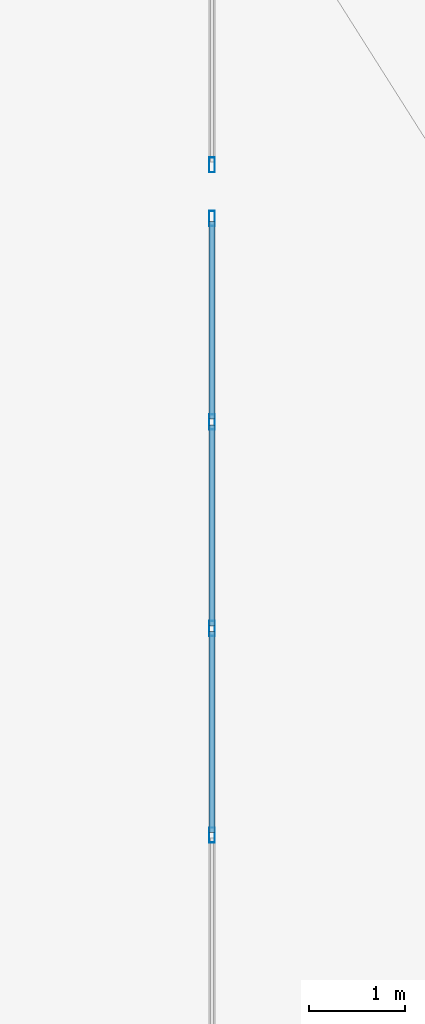
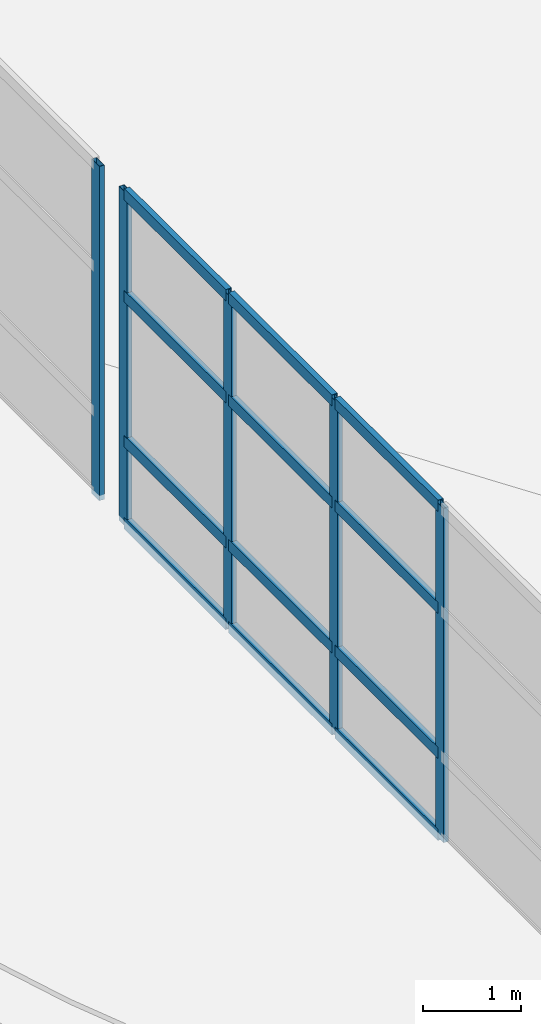
# One storey, part 5 of 14: 17 members, 2 elements without a shape of their own.
"""IFC4 building model written with IfcOpenShell, lengths in metres."""

from ifc_helpers import new_model, si_unit, direction, frame, origin, origin_2d, place, context, subcontext, project, spatial, hollow_rectangle, extrude, material, layer, layer_set, material_profile, profile_set, type_object, element, aggregate, save


model = new_model("IFC4")

# Units and contexts
model_context = context("Model", 3, precision=1e-05, world=origin(), true_north=direction((0.0, 1.0)))
body_context = subcontext(model_context, "Body", "Model", "MODEL_VIEW")
ifc_project = project(units=[si_unit("LENGTHUNIT", "METRE"), si_unit("AREAUNIT", "SQUARE_METRE"), si_unit("VOLUMEUNIT", "CUBIC_METRE"), si_unit("PLANEANGLEUNIT", "RADIAN"), si_unit("MASSUNIT", "GRAM", prefix="KILO")], contexts=[model_context])

# Site, building, storey
site_placement = place(None, origin())
site = spatial("IfcSite", under=ifc_project, at=site_placement, CompositionType="ELEMENT")
building_placement = place(site_placement, origin())
building = spatial("IfcBuilding", under=site, at=building_placement, Name="Selat Folded Stagehouse", CompositionType="ELEMENT")
storey_placement = place(building_placement, frame((0.0, 0.0, 27.60009765625)))
storey = spatial("IfcBuildingStorey", under=building, at=storey_placement, Name="L06", CompositionType="ELEMENT", Elevation=27.60009765625)

# Curtain wall, members
ifc_material = material(Name="Aluminium 6063-T6", Category="aluminium")
ifc_layer = layer(ifc_material, 0.175048828125)
ifc_layer_set = layer_set([ifc_layer], Name="Aluminium 6063-T6")
curtain_wall_type = type_object("IfcCurtainWallType", Name="CW-BRG-GLAZ", PredefinedType="NOTDEFINED", material=ifc_layer_set)
curtain_wall_1_placement = place(storey_placement, origin())
curtain_wall_1 = element("IfcCurtainWall", 1, at=curtain_wall_1_placement, inside=storey, type_object=curtain_wall_type, Name="L06 curtain wall CW-BRG-26", PredefinedType="NOTDEFINED")
ifc_material_profile_1 = material_profile(ifc_material, hollow_rectangle(XDim=0.06005859375, YDim=0.159912109375, WallThickness=0.00390625, at=origin_2d()), Name="ALU 160x60x4.0")
ifc_profile_set_1 = profile_set([ifc_material_profile_1], Name="Aluminium 6063-T6")
member_type_1 = type_object("IfcMemberType", Name="CWM-MUL-160x60", PredefinedType="MULLION", material=ifc_profile_set_1)
member_1_placement = place(storey_placement, frame((8.39990234375, 32.278564453125, 0.0), z_axis=(0.0, 0.0, 1.0), x_axis=(-1.0, 0.0, 0.0)))
member_1 = element("IfcMember", 2, at=member_1_placement, type_object=member_type_1, Name="CW-07 mullion 5", PredefinedType="MULLION", context=body_context, shape_type="SweptSolid", body=[
    extrude(hollow_rectangle(XDim=0.06005859375, YDim=0.159912109375, WallThickness=0.00390625, at=origin_2d()), origin(), (0.0, 0.0, 1.0), 4.14990234375),
])
member_2_placement = place(storey_placement, frame((8.39990234375, 34.435791015625, 0.0), z_axis=(0.0, 0.0, 1.0), x_axis=(-1.0, 0.0, 0.0)))
member_2 = element("IfcMember", 3, at=member_2_placement, type_object=member_type_1, Name="CW-07 mullion 6", PredefinedType="MULLION", context=body_context, shape_type="SweptSolid", body=[
    extrude(hollow_rectangle(XDim=0.06005859375, YDim=0.159912109375, WallThickness=0.00390625, at=origin_2d()), origin(), (0.0, 0.0, 1.0), 4.14990234375),
])
member_3_placement = place(storey_placement, frame((8.39990234375, 36.5927734375, 0.0), z_axis=(0.0, 0.0, 1.0), x_axis=(-1.0, 0.0, 0.0)))
member_3 = element("IfcMember", 4, at=member_3_placement, type_object=member_type_1, Name="CW-07 mullion 7", PredefinedType="MULLION", context=body_context, shape_type="SweptSolid", body=[
    extrude(hollow_rectangle(XDim=0.06005859375, YDim=0.159912109375, WallThickness=0.00390625, at=origin_2d()), origin(), (0.0, 0.0, 1.0), 4.14990234375),
])
member_4_placement = place(storey_placement, frame((8.39990234375, 38.719970703125, 0.0), z_axis=(0.0, 0.0, 1.0), x_axis=(-1.0, 0.0, 0.0)))
member_4 = element("IfcMember", 5, at=member_4_placement, type_object=member_type_1, Name="CW-07 mullion 8", PredefinedType="MULLION", context=body_context, shape_type="SweptSolid", body=[
    extrude(hollow_rectangle(XDim=0.06005859375, YDim=0.159912109375, WallThickness=0.00390625, at=origin_2d()), origin(), (0.0, 0.0, 1.0), 4.14990234375),
])

# Curtain wall, member
curtain_wall_2_placement = place(storey_placement, origin())
curtain_wall_2 = element("IfcCurtainWall", 6, at=curtain_wall_2_placement, inside=storey, type_object=curtain_wall_type, Name="L06 curtain wall CW-BRG-27", PredefinedType="NOTDEFINED")
member_5_placement = place(storey_placement, frame((8.39990234375, 39.280029296875, 0.0), z_axis=(0.0, 0.0, 1.0), x_axis=(-1.0, 0.0, 0.0)))
member_5 = element("IfcMember", 7, at=member_5_placement, type_object=member_type_1, Name="CW-07 mullion 1", PredefinedType="MULLION", context=body_context, shape_type="SweptSolid", body=[
    extrude(hollow_rectangle(XDim=0.06005859375, YDim=0.159912109375, WallThickness=0.00390625, at=origin_2d()), origin(), (0.0, 0.0, 1.0), 4.14990234375),
])
aggregate(curtain_wall_2, [member_5])

# Member
ifc_material_profile_2 = material_profile(ifc_material, hollow_rectangle(XDim=0.06494140625, YDim=0.139892578125, WallThickness=0.00390625, at=origin_2d()), Name="ALU 140x65x4.0")
ifc_profile_set_2 = profile_set([ifc_material_profile_2], Name="Aluminium 6063-T6")
member_type_2 = type_object("IfcMemberType", Name="CWM-TRN-140x65", PredefinedType="USERDEFINED", material=ifc_profile_set_2)
member_6_placement = place(storey_placement, frame((8.39990234375, 32.30859375, 0.032470703125), z_axis=(0.0, 1.0, 0.0), x_axis=(-1.0, 0.0, 0.0)))
member_6 = element("IfcMember", 8, at=member_6_placement, type_object=member_type_2, Name="CW-07 transom 5.1", ObjectType="TRANSOM", PredefinedType="USERDEFINED", context=body_context, shape_type="SweptSolid", body=[
    extrude(hollow_rectangle(XDim=0.06494140625, YDim=0.139892578125, WallThickness=0.00390625, at=origin_2d()), origin(), (0.0, 0.0, 1.0), 2.09716796875),
])

member_7_placement = place(storey_placement, frame((8.39990234375, 32.30859375, 1.0498046875), z_axis=(0.0, 1.0, 0.0), x_axis=(-1.0, 0.0, 0.0)))
member_7 = element("IfcMember", 9, at=member_7_placement, type_object=member_type_2, Name="CW-07 transom 5.2", ObjectType="TRANSOM", PredefinedType="USERDEFINED", context=body_context, shape_type="SweptSolid", body=[
    extrude(hollow_rectangle(XDim=0.06494140625, YDim=0.139892578125, WallThickness=0.00390625, at=origin_2d()), origin(), (0.0, 0.0, 1.0), 2.09716796875),
])

member_8_placement = place(storey_placement, frame((8.39990234375, 32.30859375, 2.849853515625), z_axis=(0.0, 1.0, 0.0), x_axis=(-1.0, 0.0, 0.0)))
member_8 = element("IfcMember", 10, at=member_8_placement, type_object=member_type_2, Name="CW-07 transom 5.3", ObjectType="TRANSOM", PredefinedType="USERDEFINED", context=body_context, shape_type="SweptSolid", body=[
    extrude(hollow_rectangle(XDim=0.06494140625, YDim=0.139892578125, WallThickness=0.00390625, at=origin_2d()), origin(), (0.0, 0.0, 1.0), 2.09716796875),
])

member_9_placement = place(storey_placement, frame((8.39990234375, 32.30859375, 4.117431640625), z_axis=(0.0, 1.0, 0.0), x_axis=(-1.0, 0.0, 0.0)))
member_9 = element("IfcMember", 11, at=member_9_placement, type_object=member_type_2, Name="CW-07 transom 5.4", ObjectType="TRANSOM", PredefinedType="USERDEFINED", context=body_context, shape_type="SweptSolid", body=[
    extrude(hollow_rectangle(XDim=0.06494140625, YDim=0.139892578125, WallThickness=0.00390625, at=origin_2d()), origin(), (0.0, 0.0, 1.0), 2.09716796875),
])

member_10_placement = place(storey_placement, frame((8.39990234375, 34.4658203125, 0.032470703125), z_axis=(0.0, 1.0, 0.0), x_axis=(-1.0, 0.0, 0.0)))
member_10 = element("IfcMember", 12, at=member_10_placement, type_object=member_type_2, Name="CW-07 transom 6.1", ObjectType="TRANSOM", PredefinedType="USERDEFINED", context=body_context, shape_type="SweptSolid", body=[
    extrude(hollow_rectangle(XDim=0.06494140625, YDim=0.139892578125, WallThickness=0.00390625, at=origin_2d()), origin(), (0.0, 0.0, 1.0), 2.096923828125),
])

member_11_placement = place(storey_placement, frame((8.39990234375, 34.4658203125, 1.0498046875), z_axis=(0.0, 1.0, 0.0), x_axis=(-1.0, 0.0, 0.0)))
member_11 = element("IfcMember", 13, at=member_11_placement, type_object=member_type_2, Name="CW-07 transom 6.2", ObjectType="TRANSOM", PredefinedType="USERDEFINED", context=body_context, shape_type="SweptSolid", body=[
    extrude(hollow_rectangle(XDim=0.06494140625, YDim=0.139892578125, WallThickness=0.00390625, at=origin_2d()), origin(), (0.0, 0.0, 1.0), 2.096923828125),
])

member_12_placement = place(storey_placement, frame((8.39990234375, 34.4658203125, 2.849853515625), z_axis=(0.0, 1.0, 0.0), x_axis=(-1.0, 0.0, 0.0)))
member_12 = element("IfcMember", 14, at=member_12_placement, type_object=member_type_2, Name="CW-07 transom 6.3", ObjectType="TRANSOM", PredefinedType="USERDEFINED", context=body_context, shape_type="SweptSolid", body=[
    extrude(hollow_rectangle(XDim=0.06494140625, YDim=0.139892578125, WallThickness=0.00390625, at=origin_2d()), origin(), (0.0, 0.0, 1.0), 2.096923828125),
])

member_13_placement = place(storey_placement, frame((8.39990234375, 34.4658203125, 4.117431640625), z_axis=(0.0, 1.0, 0.0), x_axis=(-1.0, 0.0, 0.0)))
member_13 = element("IfcMember", 15, at=member_13_placement, type_object=member_type_2, Name="CW-07 transom 6.4", ObjectType="TRANSOM", PredefinedType="USERDEFINED", context=body_context, shape_type="SweptSolid", body=[
    extrude(hollow_rectangle(XDim=0.06494140625, YDim=0.139892578125, WallThickness=0.00390625, at=origin_2d()), origin(), (0.0, 0.0, 1.0), 2.096923828125),
])

member_14_placement = place(storey_placement, frame((8.39990234375, 36.622802734375, 0.032470703125), z_axis=(0.0, 1.0, 0.0), x_axis=(-1.0, 0.0, 0.0)))
member_14 = element("IfcMember", 16, at=member_14_placement, type_object=member_type_2, Name="CW-07 transom 7.1", ObjectType="TRANSOM", PredefinedType="USERDEFINED", context=body_context, shape_type="SweptSolid", body=[
    extrude(hollow_rectangle(XDim=0.06494140625, YDim=0.139892578125, WallThickness=0.00390625, at=origin_2d()), origin(), (0.0, 0.0, 1.0), 2.067138671875),
])

member_15_placement = place(storey_placement, frame((8.39990234375, 36.622802734375, 1.0498046875), z_axis=(0.0, 1.0, 0.0), x_axis=(-1.0, 0.0, 0.0)))
member_15 = element("IfcMember", 17, at=member_15_placement, type_object=member_type_2, Name="CW-07 transom 7.2", ObjectType="TRANSOM", PredefinedType="USERDEFINED", context=body_context, shape_type="SweptSolid", body=[
    extrude(hollow_rectangle(XDim=0.06494140625, YDim=0.139892578125, WallThickness=0.00390625, at=origin_2d()), origin(), (0.0, 0.0, 1.0), 2.067138671875),
])

member_16_placement = place(storey_placement, frame((8.39990234375, 36.622802734375, 2.849853515625), z_axis=(0.0, 1.0, 0.0), x_axis=(-1.0, 0.0, 0.0)))
member_16 = element("IfcMember", 18, at=member_16_placement, type_object=member_type_2, Name="CW-07 transom 7.3", ObjectType="TRANSOM", PredefinedType="USERDEFINED", context=body_context, shape_type="SweptSolid", body=[
    extrude(hollow_rectangle(XDim=0.06494140625, YDim=0.139892578125, WallThickness=0.00390625, at=origin_2d()), origin(), (0.0, 0.0, 1.0), 2.067138671875),
])

member_17_placement = place(storey_placement, frame((8.39990234375, 36.622802734375, 4.117431640625), z_axis=(0.0, 1.0, 0.0), x_axis=(-1.0, 0.0, 0.0)))
member_17 = element("IfcMember", 19, at=member_17_placement, type_object=member_type_2, Name="CW-07 transom 7.4", ObjectType="TRANSOM", PredefinedType="USERDEFINED", context=body_context, shape_type="SweptSolid", body=[
    extrude(hollow_rectangle(XDim=0.06494140625, YDim=0.139892578125, WallThickness=0.00390625, at=origin_2d()), origin(), (0.0, 0.0, 1.0), 2.067138671875),
])

aggregate(curtain_wall_1, [member_1, member_2, member_3, member_4, member_6, member_7, member_8, member_9, member_10, member_11, member_12, member_13, member_14, member_15, member_16, member_17])

save(model, "model.ifc")
